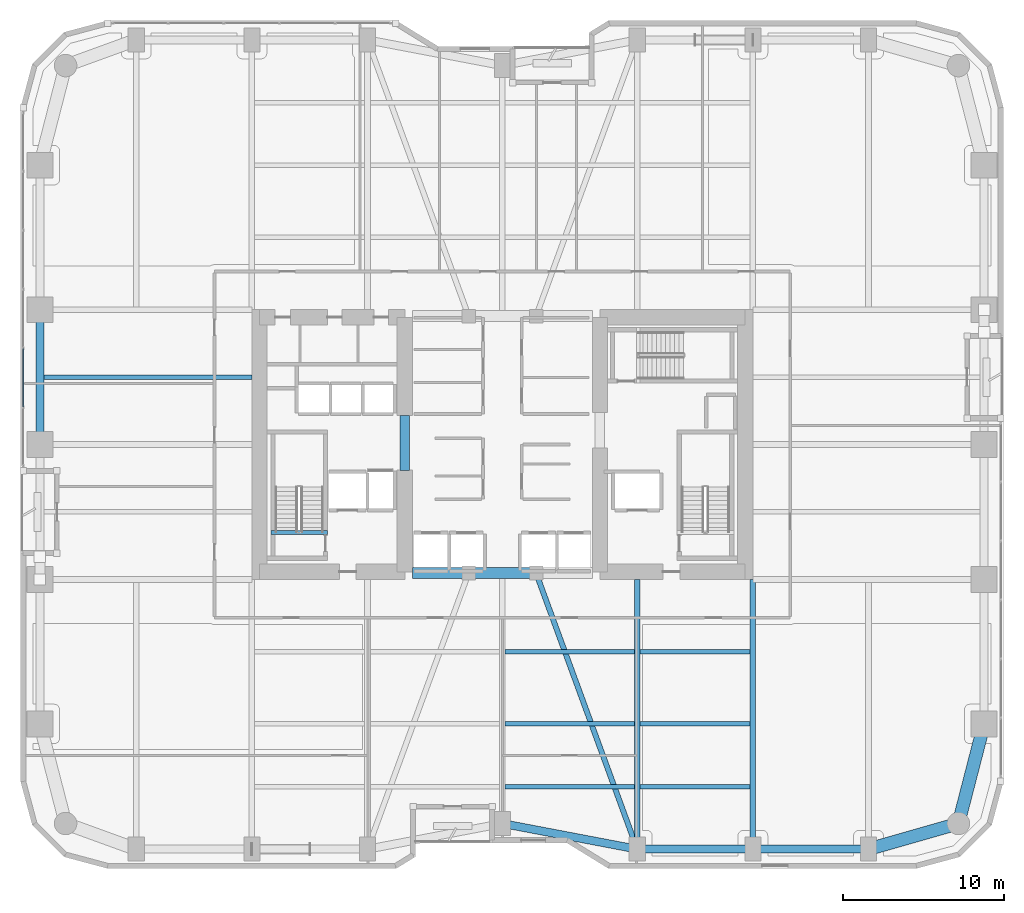
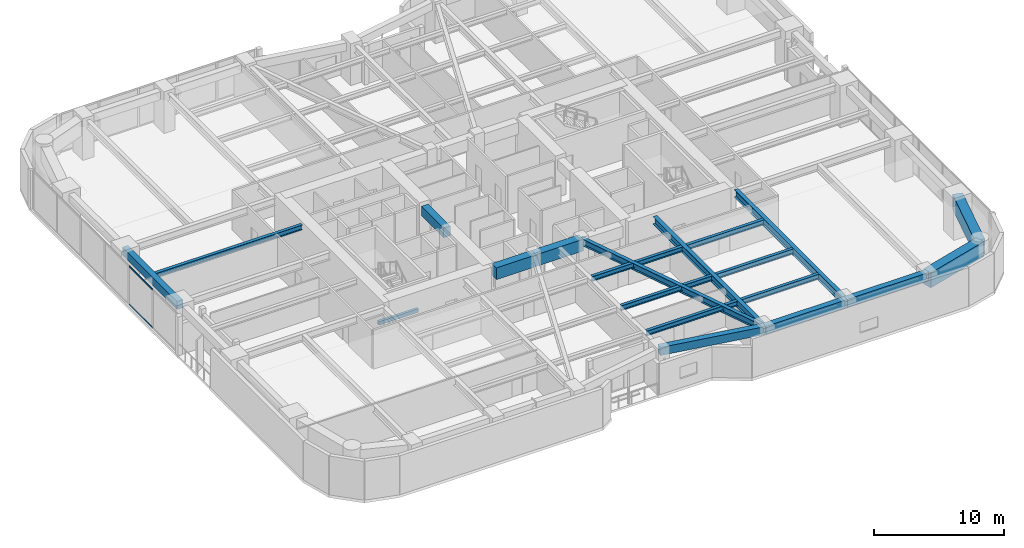
# One storey, part 3 of 28: 20 beams, 2 members, 1 element without a shape of its own.
"""IFC4 building model written with IfcOpenShell, lengths in metres."""

from ifc_helpers import new_model, si_unit, direction, frame, origin, origin_2d, place, context, subcontext, project, spatial, rectangle, hollow_rectangle, i_section, extrude, material, layer, layer_set, material_profile, profile_set, type_object, element, aggregate, save


model = new_model("IFC4")

# Units and contexts
model_context = context("Model", 3, precision=1e-05, world=origin(), true_north=direction((0.0, 1.0)))
body_context = subcontext(model_context, "Body", "Model", "MODEL_VIEW")
ifc_project = project(units=[si_unit("LENGTHUNIT", "METRE"), si_unit("AREAUNIT", "SQUARE_METRE"), si_unit("VOLUMEUNIT", "CUBIC_METRE"), si_unit("PLANEANGLEUNIT", "RADIAN"), si_unit("MASSUNIT", "GRAM", prefix="KILO")], contexts=[model_context])

# Site, building, storey
site_placement = place(None, origin())
site = spatial("IfcSite", under=ifc_project, at=site_placement, CompositionType="ELEMENT")
building_placement = place(site_placement, origin())
building = spatial("IfcBuilding", under=site, at=building_placement, Name="Kiyonajd Concourse Tower", CompositionType="ELEMENT")
storey_placement = place(building_placement, frame((0.0, 0.0, 37.199951171875)))
storey = spatial("IfcBuildingStorey", under=building, at=storey_placement, Name="L10", CompositionType="ELEMENT", Elevation=37.199951171875)

# Beams
ifc_material_1 = material(Name="Concrete C70/85", Category="concrete")
ifc_material_profile_1 = material_profile(ifc_material_1, rectangle(XDim=0.699951171875, YDim=1.10009765625, at=origin_2d()), Name="RCBM-700x1100")
ifc_profile_set_1 = profile_set([ifc_material_profile_1], Name="Concrete C70/85")
beam_type_1 = type_object("IfcBeamType", Name="BM-COUP-1100", PredefinedType="LINTEL", material=ifc_profile_set_1)
beam_1_placement = place(storey_placement, frame((42.39990234375, 28.0, 3.090087890625), z_axis=(1.0, 0.0, 0.0), x_axis=(0.0, 1.0, 0.0)))
element("IfcBeam", 1, at=beam_1_placement, inside=storey, type_object=beam_type_1, Name="L10 Core Coupling Beam S1", PredefinedType="LINTEL", context=body_context, shape_type="SweptSolid", body=[
    extrude(rectangle(XDim=0.699951171875, YDim=1.10009765625, at=origin_2d()), origin(), (0.0, 0.0, 1.0), 3.5),
])
beam_2_placement = place(storey_placement, frame((45.89990234375, 28.0, 3.090087890625), z_axis=(1.0, 0.0, 0.0), x_axis=(0.0, 1.0, 0.0)))
element("IfcBeam", 2, at=beam_2_placement, inside=storey, type_object=beam_type_1, Name="L10 Core Coupling Beam S2", PredefinedType="LINTEL", context=body_context, shape_type="SweptSolid", body=[
    extrude(rectangle(XDim=0.699951171875, YDim=1.10009765625, at=origin_2d()), origin(), (0.0, 0.0, 1.0), 4.2001953125),
])
ifc_material_2 = material(Name="Concrete C60/75", Category="concrete")
ifc_material_profile_2 = material_profile(ifc_material_2, rectangle(XDim=0.60009765625, YDim=0.89990234375, at=origin_2d()), Name="RCBM-600x900")
ifc_profile_set_2 = profile_set([ifc_material_profile_2], Name="Concrete C60/75")
beam_type_2 = type_object("IfcBeamType", Name="BM-COUP-900", PredefinedType="LINTEL", material=ifc_profile_set_2)
beam_3_placement = place(storey_placement, frame((41.925048828125, 34.39990234375, 3.090087890625), z_axis=(0.0, 1.0, 0.0), x_axis=(-1.0, 0.0, 0.0)))
element("IfcBeam", 3, at=beam_3_placement, inside=storey, type_object=beam_type_2, Name="L10 West Core Throat Coupling Lintel", PredefinedType="LINTEL", context=body_context, shape_type="SweptSolid", body=[
    extrude(rectangle(XDim=0.60009765625, YDim=0.89990234375, at=origin_2d()), origin(), (0.0, 0.0, 1.0), 3.400146484375),
])
ifc_material_3 = material(Name="Steel ASTM A992 Grade 50", Category="steel")
ifc_material_profile_3 = material_profile(ifc_material_3, i_section(OverallWidth=0.280029296875, OverallDepth=0.462890625, WebThickness=0.0107421875, FlangeThickness=0.017333984375, at=origin_2d()), Name="W460X113")
ifc_profile_set_3 = profile_set([ifc_material_profile_3], Name="Steel ASTM A992 Grade 50")
beam_type_3 = type_object("IfcBeamType", Name="BM-JST-460A", PredefinedType="JOIST", material=ifc_profile_set_3)
beam_4_placement = place(storey_placement, frame((48.177490234375, 14.699951171875, 3.408447265625), z_axis=(1.0, 0.0, 0.0), x_axis=(0.0, 1.0, 0.0)))
element("IfcBeam", 4, at=beam_4_placement, inside=storey, type_object=beam_type_3, Name="L10 Secondary Floor Joist", PredefinedType="JOIST", context=body_context, shape_type="SweptSolid", body=[
    extrude(i_section(OverallWidth=0.280029296875, OverallDepth=0.462890625, WebThickness=0.0107421875, FlangeThickness=0.017333984375, at=origin_2d()), origin(), (0.0, 0.0, 1.0), 8.044921875),
])
beam_5_placement = place(storey_placement, frame((56.577392578125, 14.699951171875, 3.408447265625), z_axis=(1.0, 0.0, 0.0), x_axis=(0.0, 1.0, 0.0)))
element("IfcBeam", 5, at=beam_5_placement, inside=storey, type_object=beam_type_3, Name="L10 Secondary Floor Joist", PredefinedType="JOIST", context=body_context, shape_type="SweptSolid", body=[
    extrude(i_section(OverallWidth=0.280029296875, OverallDepth=0.462890625, WebThickness=0.0107421875, FlangeThickness=0.017333984375, at=origin_2d()), origin(), (0.0, 0.0, 1.0), 6.84521484375),
])
beam_6_placement = place(storey_placement, frame((48.177490234375, 18.60009765625, 3.408447265625), z_axis=(1.0, 0.0, 0.0), x_axis=(0.0, 1.0, 0.0)))
element("IfcBeam", 6, at=beam_6_placement, inside=storey, type_object=beam_type_3, Name="L10 Secondary Floor Joist", PredefinedType="JOIST", context=body_context, shape_type="SweptSolid", body=[
    extrude(i_section(OverallWidth=0.280029296875, OverallDepth=0.462890625, WebThickness=0.0107421875, FlangeThickness=0.017333984375, at=origin_2d()), origin(), (0.0, 0.0, 1.0), 8.044921875),
])
beam_7_placement = place(storey_placement, frame((56.577392578125, 18.60009765625, 3.408447265625), z_axis=(1.0, 0.0, 0.0), x_axis=(0.0, 1.0, 0.0)))
element("IfcBeam", 7, at=beam_7_placement, inside=storey, type_object=beam_type_3, Name="L10 Secondary Floor Joist", PredefinedType="JOIST", context=body_context, shape_type="SweptSolid", body=[
    extrude(i_section(OverallWidth=0.280029296875, OverallDepth=0.462890625, WebThickness=0.0107421875, FlangeThickness=0.017333984375, at=origin_2d()), origin(), (0.0, 0.0, 1.0), 6.84521484375),
])
beam_8_placement = place(storey_placement, frame((48.177490234375, 23.10009765625, 3.408447265625), z_axis=(1.0, 0.0, 0.0), x_axis=(0.0, 1.0, 0.0)))
element("IfcBeam", 8, at=beam_8_placement, inside=storey, type_object=beam_type_3, Name="L10 Secondary Floor Joist", PredefinedType="JOIST", context=body_context, shape_type="SweptSolid", body=[
    extrude(i_section(OverallWidth=0.280029296875, OverallDepth=0.462890625, WebThickness=0.0107421875, FlangeThickness=0.017333984375, at=origin_2d()), origin(), (0.0, 0.0, 1.0), 8.044921875),
])
beam_9_placement = place(storey_placement, frame((56.577392578125, 23.10009765625, 3.408447265625), z_axis=(1.0, 0.0, 0.0), x_axis=(0.0, 1.0, 0.0)))
element("IfcBeam", 9, at=beam_9_placement, inside=storey, type_object=beam_type_3, Name="L10 Secondary Floor Joist", PredefinedType="JOIST", context=body_context, shape_type="SweptSolid", body=[
    extrude(i_section(OverallWidth=0.280029296875, OverallDepth=0.462890625, WebThickness=0.0107421875, FlangeThickness=0.017333984375, at=origin_2d()), origin(), (0.0, 0.0, 1.0), 6.84521484375),
])
beam_10_placement = place(storey_placement, frame((19.449951171875, 40.199951171875, 3.408447265625), z_axis=(1.0, 0.0, 0.0), x_axis=(0.0, 1.0, 0.0)))
element("IfcBeam", 10, at=beam_10_placement, inside=storey, type_object=beam_type_3, Name="L10 West Secondary Floor Joist", PredefinedType="JOIST", context=body_context, shape_type="SweptSolid", body=[
    extrude(i_section(OverallWidth=0.280029296875, OverallDepth=0.462890625, WebThickness=0.0107421875, FlangeThickness=0.017333984375, at=origin_2d()), origin(), (0.0, 0.0, 1.0), 12.949951171875),
])
ifc_material_4 = material(Name="Concrete C50/60", Category="concrete")
ifc_material_profile_4 = material_profile(ifc_material_4, rectangle(XDim=0.239990234375, YDim=0.320068359375, at=origin_2d()), Name="RCBM-240x320")
ifc_profile_set_4 = profile_set([ifc_material_profile_4], Name="Concrete C50/60")
beam_type_4 = type_object("IfcBeamType", Name="BM-LNT-250", PredefinedType="LINTEL", material=ifc_profile_set_4)
beam_11_placement = place(storey_placement, frame((33.590087890625, 30.530029296875, -0.159912109375), z_axis=(1.0, 0.0, 0.0), x_axis=(0.0, 1.0, 0.0)))
element("IfcBeam", 11, at=beam_11_placement, inside=storey, type_object=beam_type_4, Name="L10 Stair ST1 Threshold Support Beam", PredefinedType="LINTEL", context=body_context, shape_type="SweptSolid", body=[
    extrude(rectangle(XDim=0.239990234375, YDim=0.320068359375, at=origin_2d()), origin(), (0.0, 0.0, 1.0), 3.52001953125),
])
ifc_material_5 = material(Name="Precast concrete C50/60", Category="concrete")
ifc_material_profile_5 = material_profile(ifc_material_5, rectangle(XDim=0.5, YDim=0.75, at=origin_2d()), Name="RCBM-500x750")
ifc_profile_set_5 = profile_set([ifc_material_profile_5], Name="Precast concrete C50/60")
beam_type_5 = type_object("IfcBeamType", Name="BM-SPAN-RC", PredefinedType="SPANDREL", material=ifc_profile_set_5)
beam_12_placement = place(storey_placement, frame((48.0, 12.39990234375, 3.26513671875), z_axis=(0.982341315253, -0.187097675953, 0.0), x_axis=(0.187097675953, 0.982341315253, 0.0)))
element("IfcBeam", 12, at=beam_12_placement, inside=storey, type_object=beam_type_5, Name="L10 Perimeter Bundled Tube Spandrel", PredefinedType="SPANDREL", context=body_context, shape_type="SweptSolid", body=[
    extrude(rectangle(XDim=0.5, YDim=0.75, at=origin_2d()), origin(), (0.0, 0.0, 1.0), 8.55078125),
])
beam_13_placement = place(storey_placement, frame((56.39990234375, 10.800048828125, 3.26513671875), z_axis=(1.0, 0.0, 0.0), x_axis=(0.0, 1.0, 0.0)))
element("IfcBeam", 13, at=beam_13_placement, inside=storey, type_object=beam_type_5, Name="L10 Perimeter Bundled Tube Spandrel", PredefinedType="SPANDREL", context=body_context, shape_type="SweptSolid", body=[
    extrude(rectangle(XDim=0.5, YDim=0.75, at=origin_2d()), origin(), (0.0, 0.0, 1.0), 7.2001953125),
])
beam_14_placement = place(storey_placement, frame((63.60009765625, 10.800048828125, 3.26513671875), z_axis=(1.0, 0.0, 0.0), x_axis=(0.0, 1.0, 0.0)))
element("IfcBeam", 14, at=beam_14_placement, inside=storey, type_object=beam_type_5, Name="L10 Perimeter Bundled Tube Spandrel", PredefinedType="SPANDREL", context=body_context, shape_type="SweptSolid", body=[
    extrude(rectangle(XDim=0.5, YDim=0.75, at=origin_2d()), origin(), (0.0, 0.0, 1.0), 7.199951171875),
])
beam_15_placement = place(storey_placement, frame((19.199951171875, 44.39990234375, 3.26513671875), z_axis=(0.0, -1.0, 0.0), x_axis=(1.0, 0.0, 0.0)))
element("IfcBeam", 15, at=beam_15_placement, inside=storey, type_object=beam_type_5, Name="L10 Perimeter Bundled Tube Spandrel", PredefinedType="SPANDREL", context=body_context, shape_type="SweptSolid", body=[
    extrude(rectangle(XDim=0.5, YDim=0.75, at=origin_2d()), origin(), (0.0, 0.0, 1.0), 8.39990234375),
])
ifc_material_profile_6 = material_profile(ifc_material_3, i_section(OverallWidth=0.326904296875, OverallDepth=0.6220703125, WebThickness=0.015380859375, FlangeThickness=0.0244140625, at=origin_2d()), Name="W610X195")
ifc_profile_set_6 = profile_set([ifc_material_profile_6], Name="Steel ASTM A992 Grade 50")
beam_type_6 = type_object("IfcBeamType", Name="BM-TWR-610A", PredefinedType="BEAM", material=ifc_profile_set_6)
beam_16_placement = place(storey_placement, frame((50.10009765625, 28.0, 3.3291015625), z_axis=(0.343925269715, -0.938997022813, 0.0), x_axis=(0.938997022813, 0.343925269715, 0.0)))
element("IfcBeam", 16, at=beam_16_placement, inside=storey, type_object=beam_type_6, Name="L10 Core Tie Girder", PredefinedType="BEAM", context=body_context, shape_type="SweptSolid", body=[
    extrude(i_section(OverallWidth=0.326904296875, OverallDepth=0.6220703125, WebThickness=0.015380859375, FlangeThickness=0.0244140625, at=origin_2d()), origin(), (0.0, 0.0, 1.0), 18.3173828125),
])
ifc_material_profile_7 = material_profile(ifc_material_3, i_section(OverallWidth=0.35498046875, OverallDepth=0.695068359375, WebThickness=0.015380859375, FlangeThickness=0.02490234375, at=origin_2d()), Name="W690X217")
ifc_profile_set_7 = profile_set([ifc_material_profile_7], Name="Steel ASTM A992 Grade 50")
beam_type_7 = type_object("IfcBeamType", Name="BM-TWR-690", PredefinedType="BEAM", material=ifc_profile_set_7)
for number, where, z_axis, x_axis, name in (
    (17, (56.39990234375, 10.800048828125, 3.29248046875), (0.0, 1.0, 0.0), (-1.0, 0.0, 0.0), "L10 South Lease Girder"),
    (18, (63.60009765625, 10.800048828125, 3.29248046875), (0.0, 1.0, 0.0), (-1.0, 0.0, 0.0), "L10 South Lease Girder"),
):
    element("IfcBeam", number, at=place(storey_placement, frame(where, z_axis=z_axis, x_axis=x_axis)), inside=storey, type_object=beam_type_7, Name=name, PredefinedType="BEAM", context=body_context, shape_type="SweptSolid", body=[
        extrude(i_section(OverallWidth=0.35498046875, OverallDepth=0.695068359375, WebThickness=0.015380859375, FlangeThickness=0.02490234375, at=origin_2d()), origin(), (0.0, 0.0, 1.0), 16.800048828125),
    ])
ifc_material_profile_8 = material_profile(ifc_material_2, rectangle(XDim=0.800048828125, YDim=1.39990234375, at=origin_2d()), Name="RCBM-800x1400")
ifc_profile_set_8 = profile_set([ifc_material_profile_8], Name="Concrete C60/75")
beam_type_8 = type_object("IfcBeamType", Name="BM-XFER-RC", PredefinedType="BEAM", material=ifc_profile_set_8)
beam_17_placement = place(storey_placement, frame((70.800048828125, 10.800048828125, 2.93994140625), z_axis=(0.961528693205, 0.274704517878, 0.0), x_axis=(-0.274704517878, 0.961528693205, 0.0)))
element("IfcBeam", 19, at=beam_17_placement, inside=storey, type_object=beam_type_8, Name="L10 Perimeter Bundled Tube Spandrel", PredefinedType="BEAM", context=body_context, shape_type="SweptSolid", body=[
    extrude(rectangle(XDim=0.800048828125, YDim=1.39990234375, at=origin_2d()), origin(), (0.0, 0.0, 1.0), 5.823974609375),
])
beam_18_placement = place(storey_placement, frame((76.39990234375, 12.39990234375, 2.93994140625), z_axis=(0.249884937687, 0.968275538221, 0.0), x_axis=(-0.968275538221, 0.249884937687, 0.0)))
element("IfcBeam", 20, at=beam_18_placement, inside=storey, type_object=beam_type_8, Name="L10 Perimeter Bundled Tube Spandrel", PredefinedType="BEAM", context=body_context, shape_type="SweptSolid", body=[
    extrude(rectangle(XDim=0.800048828125, YDim=1.39990234375, at=origin_2d()), origin(), (0.0, 0.0, 1.0), 6.4033203125),
])

# Curtain wall, members
ifc_material_6 = material(Name="Thermally Broken Anodised Aluminium", Category="aluminium")
ifc_layer = layer(ifc_material_6, 0.179931640625)
ifc_layer_set = layer_set([ifc_layer], Name="Thermally Broken Anodised Aluminium")
curtain_wall_type = type_object("IfcCurtainWallType", Name="CW-SYS-02", PredefinedType="NOTDEFINED", material=ifc_layer_set)
curtain_wall_placement = place(storey_placement, origin())
curtain_wall = element("IfcCurtainWall", 21, at=curtain_wall_placement, inside=storey, type_object=curtain_wall_type, Name="L10 Unitised Curtain Wall CW2", PredefinedType="NOTDEFINED")
ifc_material_profile_9 = material_profile(ifc_material_6, hollow_rectangle(XDim=0.06494140625, YDim=0.139892578125, WallThickness=0.00390625, at=origin_2d()), Name="TRAN-65x140")
ifc_profile_set_9 = profile_set([ifc_material_profile_9], Name="Thermally Broken Anodised Aluminium")
member_type = type_object("IfcMemberType", Name="MB-CW-TRAN1", PredefinedType="USERDEFINED", material=ifc_profile_set_9)
member_1_placement = place(storey_placement, frame((18.159912109375, 38.355712890625, 0.032470703125), z_axis=(0.0, 1.0, 0.0), x_axis=(-1.0, 0.0, 0.0)))
member_1 = element("IfcMember", 22, at=member_1_placement, type_object=member_type, Name="CW2 transom 2.1", ObjectType="TRANSOM", PredefinedType="USERDEFINED", context=body_context, shape_type="SweptSolid", body=[
    extrude(hollow_rectangle(XDim=0.06494140625, YDim=0.139892578125, WallThickness=0.00390625, at=origin_2d()), origin(), (0.0, 0.0, 1.0), 3.608154296875),
])
member_2_placement = place(storey_placement, frame((18.159912109375, 38.355712890625, 3.607666015625), z_axis=(0.0, 1.0, 0.0), x_axis=(-1.0, 0.0, 0.0)))
member_2 = element("IfcMember", 23, at=member_2_placement, type_object=member_type, Name="CW2 transom 2.2", ObjectType="TRANSOM", PredefinedType="USERDEFINED", context=body_context, shape_type="SweptSolid", body=[
    extrude(hollow_rectangle(XDim=0.06494140625, YDim=0.139892578125, WallThickness=0.00390625, at=origin_2d()), origin(), (0.0, 0.0, 1.0), 3.608154296875),
])
aggregate(curtain_wall, [member_1, member_2])

save(model, "model.ifc")
